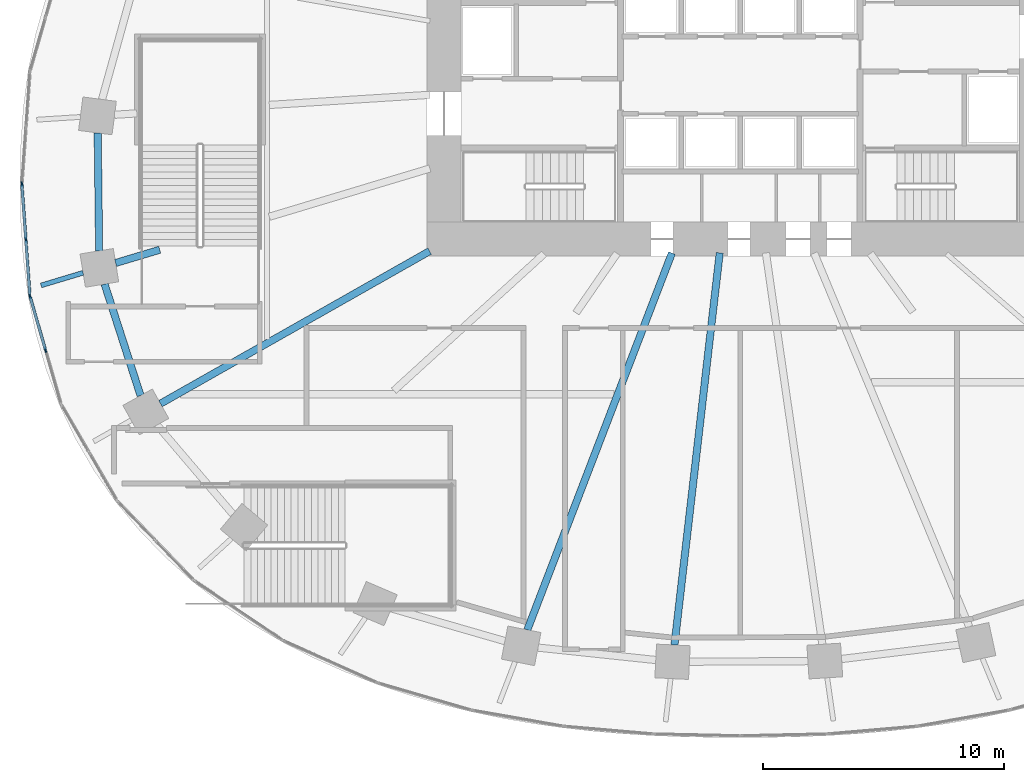
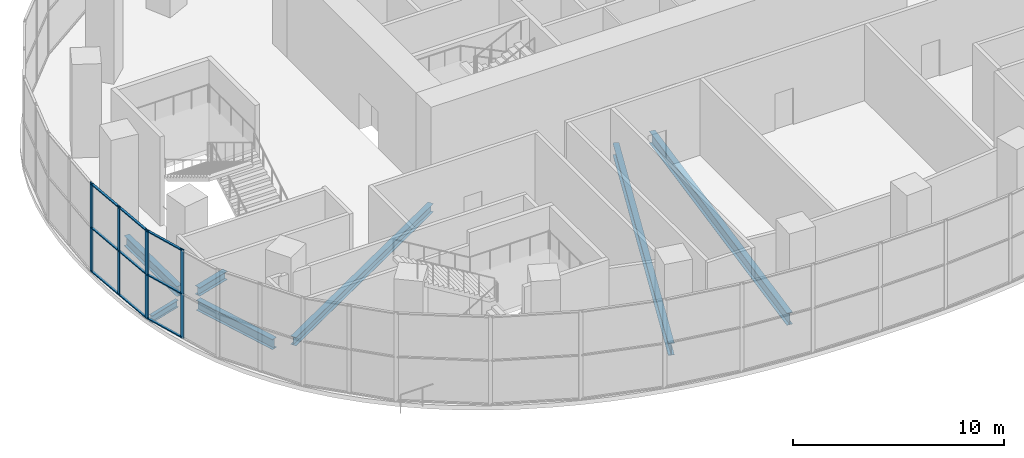
# One storey, part 3 of 20: 13 members, 7 beams, 2 elements without a shape of their own.
"""IFC4 building model written with IfcOpenShell, lengths in metres."""

from ifc_helpers import new_model, si_unit, direction, frame, origin, origin_2d, place, context, subcontext, project, spatial, rectangle, i_section, extrude, material, material_profile, profile_set, type_object, element, aggregate, save


model = new_model("IFC4")

# Units and contexts
model_context = context("Model", 3, precision=1e-05, world=origin(), true_north=direction((0.0, 1.0)))
body_context = subcontext(model_context, "Body", "Model", "MODEL_VIEW")
ifc_project = project(units=[si_unit("LENGTHUNIT", "METRE"), si_unit("AREAUNIT", "SQUARE_METRE"), si_unit("VOLUMEUNIT", "CUBIC_METRE"), si_unit("PLANEANGLEUNIT", "RADIAN"), si_unit("MASSUNIT", "GRAM", prefix="KILO")], contexts=[model_context])

# Site, building, storey
site_placement = place(None, origin())
site = spatial("IfcSite", under=ifc_project, at=site_placement, CompositionType="ELEMENT")
building_placement = place(site_placement, origin())
building = spatial("IfcBuilding", under=site, at=building_placement, Name="Rubra Terraces Tower", CompositionType="ELEMENT")
storey_placement = place(building_placement, frame((0.0, 0.0, 22.800048828125)))
storey = spatial("IfcBuildingStorey", under=building, at=storey_placement, Name="L03", CompositionType="ELEMENT", Elevation=22.800048828125)

# Beams
ifc_material_1 = material(Name="Steel Q355B", Category="steel")
ifc_material_profile_1 = material_profile(ifc_material_1, i_section(OverallWidth=0.199951171875, OverallDepth=0.39990234375, WebThickness=0.008056640625, FlangeThickness=0.012939453125, at=origin_2d()), Name="HN 400x200x8x13")
ifc_profile_set_1 = profile_set([ifc_material_profile_1], Name="Steel Q355B")
beam_type_1 = type_object("IfcBeamType", Name="CANTILEVER BEAM HN 400x200x8x13", PredefinedType="BEAM", material=ifc_profile_set_1)
beam_1_placement = place(storey_placement, frame((-27.281005859375, -3.7060546875, -0.449951171875), z_axis=(-0.95756392402, -0.28822097671, 0.0), x_axis=(0.28822097671, -0.95756392402, 0.0)))
element("IfcBeam", 1, at=beam_1_placement, inside=storey, type_object=beam_type_1, Name="beam-L03-cant-13", PredefinedType="BEAM", context=body_context, shape_type="SweptSolid", body=[
    extrude(i_section(OverallWidth=0.199951171875, OverallDepth=0.39990234375, WebThickness=0.008056640625, FlangeThickness=0.012939453125, at=origin_2d()), origin(), (0.0, 0.0, 1.0), 1.8212890625),
])
ifc_material_profile_2 = material_profile(ifc_material_1, i_section(OverallWidth=0.300048828125, OverallDepth=0.48193359375, WebThickness=0.010986328125, FlangeThickness=0.014892578125, at=origin_2d()), Name="HM 482x300x11x15")
ifc_profile_set_2 = profile_set([ifc_material_profile_2], Name="Steel Q355B")
beam_type_2 = type_object("IfcBeamType", Name="FLOOR BEAM HM 482x300x11x15", PredefinedType="BEAM", material=ifc_profile_set_2)
beam_2_placement = place(storey_placement, frame((-25.928955078125, -3.300048828125, -0.490966796875), z_axis=(0.957526889741, 0.288343988011, 0.0), x_axis=(-0.288343988011, 0.957526889741, 0.0)))
element("IfcBeam", 2, at=beam_2_placement, inside=storey, type_object=beam_type_2, Name="beam-L03-floor-13-a", PredefinedType="BEAM", context=body_context, shape_type="SweptSolid", body=[
    extrude(i_section(OverallWidth=0.300048828125, OverallDepth=0.48193359375, WebThickness=0.010986328125, FlangeThickness=0.014892578125, at=origin_2d()), origin(), (0.0, 0.0, 1.0), 1.910888671875),
])
beam_3_placement = place(storey_placement, frame((-24.06689453125, -9.137939453125, -0.490966796875), z_axis=(0.869992824144, 0.493064383157, 0.0), x_axis=(-0.493064383157, 0.869992824144, 0.0)))
element("IfcBeam", 3, at=beam_3_placement, inside=storey, type_object=beam_type_2, Name="beam-L03-floor-14", PredefinedType="BEAM", context=body_context, shape_type="SweptSolid", body=[
    extrude(i_section(OverallWidth=0.300048828125, OverallDepth=0.48193359375, WebThickness=0.010986328125, FlangeThickness=0.014892578125, at=origin_2d()), origin(), (0.0, 0.0, 1.0), 12.84033203125),
])
ifc_material_profile_3 = material_profile(ifc_material_1, i_section(OverallWidth=0.300048828125, OverallDepth=0.699951171875, WebThickness=0.012939453125, FlangeThickness=0.02392578125, at=origin_2d()), Name="HN 700x300x13x24")
ifc_profile_set_3 = profile_set([ifc_material_profile_3], Name="Steel Q355B")
beam_type_3 = type_object("IfcBeamType", Name="FLOOR BEAM HN 700x300x13x24", PredefinedType="BEAM", material=ifc_profile_set_3)
beam_4_placement = place(storey_placement, frame((-8.839111328125, -18.529052734375, -0.60009765625), z_axis=(0.358321803184, 0.933598139117, 0.0), x_axis=(-0.933598139117, 0.358321803184, 0.0)))
element("IfcBeam", 4, at=beam_4_placement, inside=storey, type_object=beam_type_3, Name="beam-L03-floor-17", PredefinedType="BEAM", context=body_context, shape_type="SweptSolid", body=[
    extrude(i_section(OverallWidth=0.300048828125, OverallDepth=0.699951171875, WebThickness=0.012939453125, FlangeThickness=0.02392578125, at=origin_2d()), origin(), (0.0, 0.0, 1.0), 16.753662109375),
])
beam_5_placement = place(storey_placement, frame((-2.73095703125, -19.156982421875, -0.60009765625), z_axis=(0.114679535872, 0.993402538779, 0.0), x_axis=(-0.993402538779, 0.114679535872, 0.0)))
element("IfcBeam", 5, at=beam_5_placement, inside=storey, type_object=beam_type_3, Name="beam-L03-floor-18", PredefinedType="BEAM", context=body_context, shape_type="SweptSolid", body=[
    extrude(i_section(OverallWidth=0.300048828125, OverallDepth=0.699951171875, WebThickness=0.012939453125, FlangeThickness=0.02392578125, at=origin_2d()), origin(), (0.0, 0.0, 1.0), 16.384033203125),
])

# Curtain wall, members
ifc_material_2 = material(Name="Aluminium and glass", Category="aluminium")
curtain_wall_type = type_object("IfcCurtainWallType", Name="Curtain wall Podium glazing", PredefinedType="NOTDEFINED", material=ifc_material_2)
curtain_wall_1_placement = place(storey_placement, origin())
curtain_wall_1 = element("IfcCurtainWall", 6, at=curtain_wall_1_placement, inside=storey, type_object=curtain_wall_type, Name="L03 glazing bay 21", PredefinedType="NOTDEFINED")
ifc_material_3 = material(Name="Aluminium, anodised dark grey", Category="aluminium")
ifc_material_profile_4 = material_profile(ifc_material_3, rectangle(XDim=0.06005859375, YDim=0.199951171875, at=origin_2d()), Name="AL 60x200")
ifc_profile_set_4 = profile_set([ifc_material_profile_4], Name="Aluminium, anodised dark grey")
member_type_1 = type_object("IfcMemberType", Name="Podium glazing mullion 60 x 200", PredefinedType="MULLION", material=ifc_profile_set_4)
member_1_placement = place(storey_placement, frame((-29.822998046875, -0.0244140625, 0.0), z_axis=(0.0, 0.0, 1.0), x_axis=(0.997419621076, 0.071792057306, 0.0)))
member_1 = element("IfcMember", 7, at=member_1_placement, type_object=member_type_1, Name="CW1 mullion 1", PredefinedType="MULLION", context=body_context, shape_type="SweptSolid", body=[
    extrude(rectangle(XDim=0.06005859375, YDim=0.199951171875, at=origin_2d()), origin(), (0.0, 0.0, 1.0), 5.14990234375),
])
member_2_placement = place(storey_placement, frame((-29.65673828125, -2.335693359375, 0.0), z_axis=(0.0, 0.0, 1.0), x_axis=(0.997419621076, 0.071792057306, 0.0)))
member_2 = element("IfcMember", 8, at=member_2_placement, type_object=member_type_1, Name="CW1 mullion 2", PredefinedType="MULLION", context=body_context, shape_type="SweptSolid", body=[
    extrude(rectangle(XDim=0.06005859375, YDim=0.199951171875, at=origin_2d()), origin(), (0.0, 0.0, 1.0), 5.14990234375),
])

curtain_wall_2_placement = place(storey_placement, origin())
curtain_wall_2 = element("IfcCurtainWall", 9, at=curtain_wall_2_placement, inside=storey, type_object=curtain_wall_type, Name="L03 glazing bay 22", PredefinedType="NOTDEFINED")
member_3_placement = place(storey_placement, frame((-29.482666015625, -4.690185546875, 0.0), z_axis=(0.0, 0.0, 1.0), x_axis=(0.961047339404, 0.276383811798, 0.0)))
member_3 = element("IfcMember", 10, at=member_3_placement, type_object=member_type_1, Name="CW1 mullion 1", PredefinedType="MULLION", context=body_context, shape_type="SweptSolid", body=[
    extrude(rectangle(XDim=0.06005859375, YDim=0.199951171875, at=origin_2d()), origin(), (0.0, 0.0, 1.0), 5.14990234375),
])
member_4_placement = place(storey_placement, frame((-28.843505859375, -6.912841796875, 0.0), z_axis=(0.0, 0.0, 1.0), x_axis=(0.961047339404, 0.276383811798, 0.0)))
member_4 = element("IfcMember", 11, at=member_4_placement, type_object=member_type_1, Name="CW1 mullion 2", PredefinedType="MULLION", context=body_context, shape_type="SweptSolid", body=[
    extrude(rectangle(XDim=0.06005859375, YDim=0.199951171875, at=origin_2d()), origin(), (0.0, 0.0, 1.0), 5.14990234375),
])

# Member
ifc_material_profile_5 = material_profile(ifc_material_3, rectangle(XDim=0.1201171875, YDim=0.06005859375, at=origin_2d()), Name="AL 120x60")
ifc_profile_set_5 = profile_set([ifc_material_profile_5], Name="Aluminium, anodised dark grey")
member_type_2 = type_object("IfcMemberType", Name="Podium glazing transom 120 x 60", PredefinedType="USERDEFINED", material=ifc_profile_set_5)
member_5_placement = place(storey_placement, frame((-29.82080078125, -0.054443359375, 0.06005859375), z_axis=(0.071715956886, -0.997425095698, 0.0), x_axis=(0.997425095698, 0.071715956886, 0.0)))
member_5 = element("IfcMember", 12, at=member_5_placement, type_object=member_type_2, Name="CW1 transom 1.1", ObjectType="TRANSOM", PredefinedType="USERDEFINED", context=body_context, shape_type="SweptSolid", body=[
    extrude(rectangle(XDim=0.1201171875, YDim=0.06005859375, at=origin_2d()), origin(), (0.0, 0.0, 1.0), 2.257080078125),
])

member_6_placement = place(storey_placement, frame((-29.82080078125, -0.054443359375, 2.574951171875), z_axis=(0.071715956886, -0.997425095698, 0.0), x_axis=(0.997425095698, 0.071715956886, 0.0)))
member_6 = element("IfcMember", 13, at=member_6_placement, type_object=member_type_2, Name="CW1 transom 1.2", ObjectType="TRANSOM", PredefinedType="USERDEFINED", context=body_context, shape_type="SweptSolid", body=[
    extrude(rectangle(XDim=0.1201171875, YDim=0.06005859375, at=origin_2d()), origin(), (0.0, 0.0, 1.0), 2.257080078125),
])

member_7_placement = place(storey_placement, frame((-29.82080078125, -0.054443359375, 5.08984375), z_axis=(0.071715956886, -0.997425095698, 0.0), x_axis=(0.997425095698, 0.071715956886, 0.0)))
member_7 = element("IfcMember", 14, at=member_7_placement, type_object=member_type_2, Name="CW1 transom 1.3", ObjectType="TRANSOM", PredefinedType="USERDEFINED", context=body_context, shape_type="SweptSolid", body=[
    extrude(rectangle(XDim=0.1201171875, YDim=0.06005859375, at=origin_2d()), origin(), (0.0, 0.0, 1.0), 2.257080078125),
])

member_8_placement = place(storey_placement, frame((-29.654541015625, -2.365478515625, 0.06005859375), z_axis=(0.071823568166, -0.997417352494, 0.0), x_axis=(0.997417352494, 0.071823568166, 0.0)))
member_8 = element("IfcMember", 15, at=member_8_placement, type_object=member_type_2, Name="CW1 transom 2.1", ObjectType="TRANSOM", PredefinedType="USERDEFINED", context=body_context, shape_type="SweptSolid", body=[
    extrude(rectangle(XDim=0.1201171875, YDim=0.06005859375, at=origin_2d()), origin(), (0.0, 0.0, 1.0), 2.257080078125),
])

member_9_placement = place(storey_placement, frame((-29.654541015625, -2.365478515625, 2.574951171875), z_axis=(0.071823568166, -0.997417352494, 0.0), x_axis=(0.997417352494, 0.071823568166, 0.0)))
member_9 = element("IfcMember", 16, at=member_9_placement, type_object=member_type_2, Name="CW1 transom 2.2", ObjectType="TRANSOM", PredefinedType="USERDEFINED", context=body_context, shape_type="SweptSolid", body=[
    extrude(rectangle(XDim=0.1201171875, YDim=0.06005859375, at=origin_2d()), origin(), (0.0, 0.0, 1.0), 2.257080078125),
])

member_10_placement = place(storey_placement, frame((-29.654541015625, -2.365478515625, 5.08984375), z_axis=(0.071823568166, -0.997417352494, 0.0), x_axis=(0.997417352494, 0.071823568166, 0.0)))
member_10 = element("IfcMember", 17, at=member_10_placement, type_object=member_type_2, Name="CW1 transom 2.3", ObjectType="TRANSOM", PredefinedType="USERDEFINED", context=body_context, shape_type="SweptSolid", body=[
    extrude(rectangle(XDim=0.1201171875, YDim=0.06005859375, at=origin_2d()), origin(), (0.0, 0.0, 1.0), 2.257080078125),
])

aggregate(curtain_wall_1, [member_1, member_2, member_5, member_6, member_7, member_8, member_9, member_10])

member_11_placement = place(storey_placement, frame((-29.474365234375, -4.718994140625, 0.06005859375), z_axis=(0.276352469421, -0.961056352481, 0.0), x_axis=(0.961056352481, 0.276352469421, 0.0)))
member_11 = element("IfcMember", 18, at=member_11_placement, type_object=member_type_2, Name="CW1 transom 1.1", ObjectType="TRANSOM", PredefinedType="USERDEFINED", context=body_context, shape_type="SweptSolid", body=[
    extrude(rectangle(XDim=0.1201171875, YDim=0.06005859375, at=origin_2d()), origin(), (0.0, 0.0, 1.0), 2.252685546875),
])

member_12_placement = place(storey_placement, frame((-29.474365234375, -4.718994140625, 2.574951171875), z_axis=(0.276352469421, -0.961056352481, 0.0), x_axis=(0.961056352481, 0.276352469421, 0.0)))
member_12 = element("IfcMember", 19, at=member_12_placement, type_object=member_type_2, Name="CW1 transom 1.2", ObjectType="TRANSOM", PredefinedType="USERDEFINED", context=body_context, shape_type="SweptSolid", body=[
    extrude(rectangle(XDim=0.1201171875, YDim=0.06005859375, at=origin_2d()), origin(), (0.0, 0.0, 1.0), 2.252685546875),
])

member_13_placement = place(storey_placement, frame((-29.474365234375, -4.718994140625, 5.08984375), z_axis=(0.276352469421, -0.961056352481, 0.0), x_axis=(0.961056352481, 0.276352469421, 0.0)))
member_13 = element("IfcMember", 20, at=member_13_placement, type_object=member_type_2, Name="CW1 transom 1.3", ObjectType="TRANSOM", PredefinedType="USERDEFINED", context=body_context, shape_type="SweptSolid", body=[
    extrude(rectangle(XDim=0.1201171875, YDim=0.06005859375, at=origin_2d()), origin(), (0.0, 0.0, 1.0), 2.252685546875),
])

aggregate(curtain_wall_2, [member_3, member_4, member_11, member_12, member_13])

# Beams
ifc_material_profile_6 = material_profile(ifc_material_1, i_section(OverallWidth=0.300048828125, OverallDepth=0.587890625, WebThickness=0.011962890625, FlangeThickness=0.02001953125, at=origin_2d()), Name="HM 588x300x12x20")
ifc_profile_set_6 = profile_set([ifc_material_profile_6], Name="Steel Q355B")
beam_type_4 = type_object("IfcBeamType", Name="SPANDREL BEAM HM 588x300x12x20", PredefinedType="SPANDREL", material=ifc_profile_set_6)
beam_6_placement = place(storey_placement, frame((-26.675048828125, 2.10107421875, -0.5439453125), z_axis=(0.012465372298, -0.999922304228, 0.0), x_axis=(0.999922304228, 0.012465372298, 0.0)))
element("IfcBeam", 21, at=beam_6_placement, inside=storey, type_object=beam_type_4, Name="beam-L03-spandrel-12", PredefinedType="SPANDREL", context=body_context, shape_type="SweptSolid", body=[
    extrude(i_section(OverallWidth=0.300048828125, OverallDepth=0.587890625, WebThickness=0.011962890625, FlangeThickness=0.02001953125, at=origin_2d()), origin(), (0.0, 0.0, 1.0), 4.896484375),
])
beam_7_placement = place(storey_placement, frame((-26.387939453125, -4.177001953125, -0.5439453125), z_axis=(0.30706880261, -0.951687317591, 0.0), x_axis=(0.951687317591, 0.30706880261, 0.0)))
element("IfcBeam", 22, at=beam_7_placement, inside=storey, type_object=beam_type_4, Name="beam-L03-spandrel-13", PredefinedType="SPANDREL", context=body_context, shape_type="SweptSolid", body=[
    extrude(i_section(OverallWidth=0.300048828125, OverallDepth=0.587890625, WebThickness=0.011962890625, FlangeThickness=0.02001953125, at=origin_2d()), origin(), (0.0, 0.0, 1.0), 4.86181640625),
])

save(model, "model.ifc")
